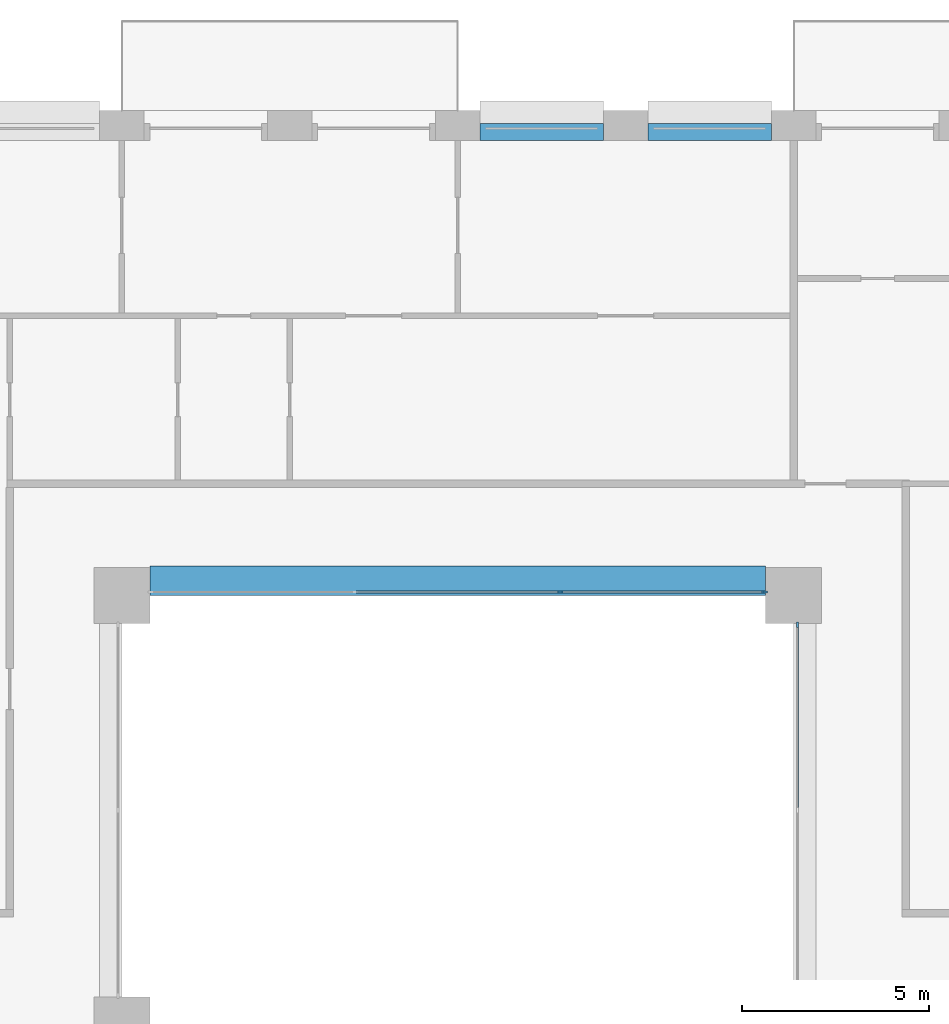
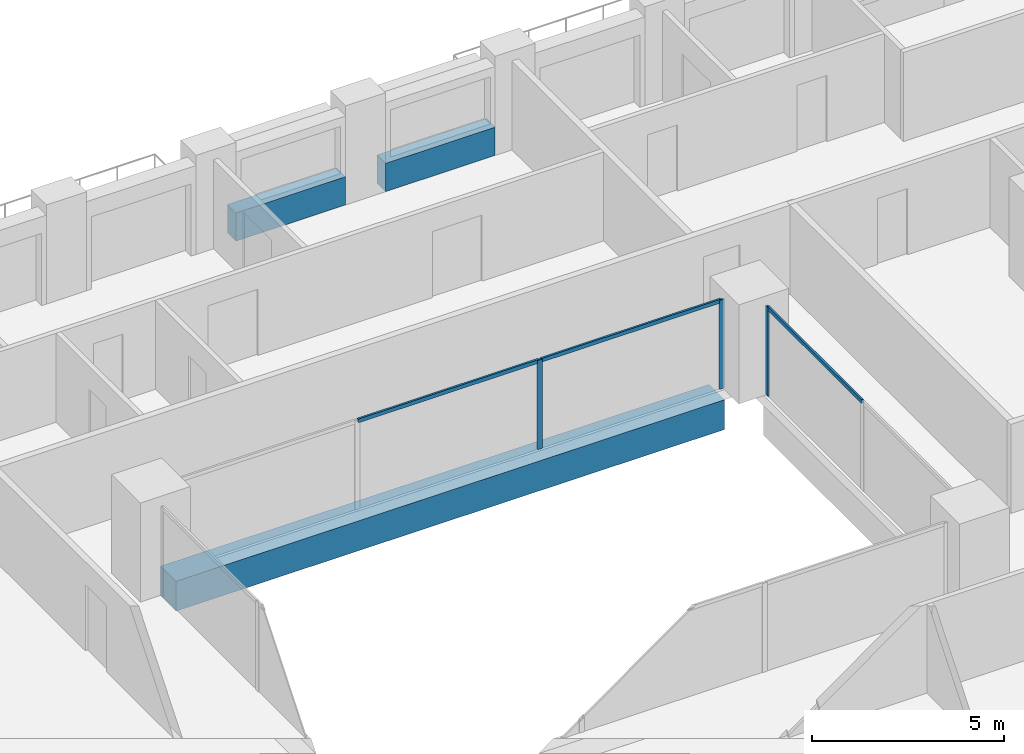
# One storey, part 7 of 20: 6 members, 3 beams, 2 elements without a shape of their own.
"""IFC4 building model written with IfcOpenShell, lengths in metres."""

from ifc_helpers import new_model, si_unit, direction, frame, origin, origin_2d, place, context, subcontext, project, spatial, rectangle, extrude, material, layer, layer_set, material_profile, profile_set, type_object, element, aggregate, save


model = new_model("IFC4")

# Units and contexts
model_context = context("Model", 3, precision=1e-05, world=origin(), true_north=direction((0.0, 1.0)))
body_context = subcontext(model_context, "Body", "Model", "MODEL_VIEW")
ifc_project = project(units=[si_unit("LENGTHUNIT", "METRE"), si_unit("AREAUNIT", "SQUARE_METRE"), si_unit("VOLUMEUNIT", "CUBIC_METRE"), si_unit("PLANEANGLEUNIT", "RADIAN"), si_unit("MASSUNIT", "GRAM", prefix="KILO")], contexts=[model_context])

# Site, building, storey
site_placement = place(None, origin())
site = spatial("IfcSite", under=ifc_project, at=site_placement, CompositionType="ELEMENT")
building_placement = place(site_placement, origin())
building = spatial("IfcBuilding", under=site, at=building_placement, Name="Brigalow Station Residences", CompositionType="ELEMENT")
storey_placement = place(building_placement, frame((0.0, 0.0, 66.75)))
storey = spatial("IfcBuildingStorey", under=building, at=storey_placement, Name="L19", CompositionType="ELEMENT", Elevation=66.75)

# Beam
ifc_material_1 = material(Name="Concrete C65", Category="concrete")
ifc_material_profile_1 = material_profile(ifc_material_1, rectangle(XDim=0.800048828125, YDim=0.949951171875, at=origin_2d()), Name="RC800x950")
ifc_profile_set_1 = profile_set([ifc_material_profile_1], Name="Concrete C65")
beam_type_1 = type_object("IfcBeamType", Name="ATRIUM EDGE GIRDER OVER 13.5 M SPAN 800x950 C65", PredefinedType="BEAM", material=ifc_profile_set_1)
beam_placement = place(storey_placement, frame((27.75, 35.89990234375, -0.794921875), z_axis=(1.0, 0.0, 0.0), x_axis=(0.0, 1.0, 0.0)))
element("IfcBeam", 1, at=beam_placement, inside=storey, type_object=beam_type_1, Name="ATRIUM EDGE GIRDER D L19", PredefinedType="BEAM", context=body_context, shape_type="SweptSolid", body=[
    extrude(rectangle(XDim=0.800048828125, YDim=0.949951171875, at=origin_2d()), origin(), (0.0, 0.0, 1.0), 16.5),
])

# Curtain wall, member
ifc_material_2 = material(Name="Aluminium", Category="aluminium")
ifc_layer = layer(ifc_material_2, 0.14990234375)
ifc_layer_set = layer_set([ifc_layer], Name="ATRIUM FIRE-RATED GLAZING CURTAIN WALL")
curtain_wall_type = type_object("IfcCurtainWallType", Name="ATRIUM FIRE-RATED GLAZING CURTAIN WALL", PredefinedType="NOTDEFINED", material=ifc_layer_set)
curtain_wall_1_placement = place(storey_placement, origin())
curtain_wall_1 = element("IfcCurtainWall", 2, at=curtain_wall_1_placement, inside=storey, type_object=curtain_wall_type, Name="L19/cw/atrium-E", PredefinedType="NOTDEFINED")
ifc_material_3 = material(Name="Aluminium", Category="aluminium")
ifc_material_profile_2 = material_profile(ifc_material_3, rectangle(XDim=0.06005859375, YDim=0.14990234375, at=origin_2d()), Name="ATRIUM FIRE-RATED GLAZING MULLION 60x150")
ifc_profile_set_2 = profile_set([ifc_material_profile_2], Name="Aluminium")
member_type_1 = type_object("IfcMemberType", Name="ATRIUM FIRE-RATED GLAZING MULLION 60x150", PredefinedType="MULLION", material=ifc_profile_set_2)
member_1_placement = place(storey_placement, frame((45.10009765625, 34.719970703125, 0.0), z_axis=(0.0, 0.0, 1.0), x_axis=(-1.0, 0.0, 0.0)))
member_1 = element("IfcMember", 3, at=member_1_placement, type_object=member_type_1, Name="L19/cw/atrium-E/M02", PredefinedType="MULLION", context=body_context, shape_type="SweptSolid", body=[
    extrude(rectangle(XDim=0.06005859375, YDim=0.14990234375, at=origin_2d()), origin(), (0.0, 0.0, 1.0), 2.830078125),
])

# Curtain wall, members
curtain_wall_2_placement = place(storey_placement, origin())
curtain_wall_2 = element("IfcCurtainWall", 4, at=curtain_wall_2_placement, inside=storey, type_object=curtain_wall_type, Name="L19/cw/atrium-N", PredefinedType="NOTDEFINED")
member_2_placement = place(storey_placement, frame((44.219970703125, 35.60009765625, 0.0), z_axis=(0.0, 0.0, 1.0), x_axis=(0.0, -1.0, 0.0)))
member_2 = element("IfcMember", 5, at=member_2_placement, type_object=member_type_1, Name="L19/cw/atrium-N/M00", PredefinedType="MULLION", context=body_context, shape_type="SweptSolid", body=[
    extrude(rectangle(XDim=0.06005859375, YDim=0.14990234375, at=origin_2d()), origin(), (0.0, 0.0, 1.0), 2.830078125),
])
member_3_placement = place(storey_placement, frame((38.75, 35.60009765625, 0.0), z_axis=(0.0, 0.0, 1.0), x_axis=(0.0, -1.0, 0.0)))
member_3 = element("IfcMember", 6, at=member_3_placement, type_object=member_type_1, Name="L19/cw/atrium-N/M01", PredefinedType="MULLION", context=body_context, shape_type="SweptSolid", body=[
    extrude(rectangle(XDim=0.06005859375, YDim=0.14990234375, at=origin_2d()), origin(), (0.0, 0.0, 1.0), 2.830078125),
])

# Member
ifc_material_4 = material(Name="Aluminium", Category="aluminium")
ifc_material_profile_3 = material_profile(ifc_material_4, rectangle(XDim=0.06005859375, YDim=0.1201171875, at=origin_2d()), Name="ATRIUM FIRE-RATED GLAZING TRANSOM 60x120")
ifc_profile_set_3 = profile_set([ifc_material_profile_3], Name="Aluminium")
member_type_2 = type_object("IfcMemberType", Name="ATRIUM FIRE-RATED GLAZING TRANSOM 60x120", PredefinedType="USERDEFINED", material=ifc_profile_set_3)
member_4_placement = place(storey_placement, frame((45.10009765625, 29.780029296875, 2.800048828125), z_axis=(0.0, 1.0, 0.0), x_axis=(-1.0, 0.0, 0.0)))
member_4 = element("IfcMember", 7, at=member_4_placement, type_object=member_type_2, Name="L19/cw/atrium-E/T01-00", ObjectType="TRANSOM", PredefinedType="USERDEFINED", context=body_context, shape_type="SweptSolid", body=[
    extrude(rectangle(XDim=0.06005859375, YDim=0.1201171875, at=origin_2d()), origin(), (0.0, 0.0, 1.0), 4.909912109375),
])

aggregate(curtain_wall_1, [member_1, member_4])

member_5_placement = place(storey_placement, frame((44.18994140625, 35.60009765625, 2.800048828125), z_axis=(-1.0, 0.0, 0.0), x_axis=(0.0, -1.0, 0.0)))
member_5 = element("IfcMember", 8, at=member_5_placement, type_object=member_type_2, Name="L19/cw/atrium-N/T00-00", ObjectType="TRANSOM", PredefinedType="USERDEFINED", context=body_context, shape_type="SweptSolid", body=[
    extrude(rectangle(XDim=0.06005859375, YDim=0.1201171875, at=origin_2d()), origin(), (0.0, 0.0, 1.0), 5.409912109375),
])

member_6_placement = place(storey_placement, frame((38.719970703125, 35.60009765625, 2.800048828125), z_axis=(-1.0, 0.0, 0.0), x_axis=(0.0, -1.0, 0.0)))
member_6 = element("IfcMember", 9, at=member_6_placement, type_object=member_type_2, Name="L19/cw/atrium-N/T01-00", ObjectType="TRANSOM", PredefinedType="USERDEFINED", context=body_context, shape_type="SweptSolid", body=[
    extrude(rectangle(XDim=0.06005859375, YDim=0.1201171875, at=origin_2d()), origin(), (0.0, 0.0, 1.0), 5.43994140625),
])

aggregate(curtain_wall_2, [member_2, member_3, member_5, member_6])

# Beams
ifc_material_5 = material(Name="Concrete C65", Category="concrete")
ifc_material_profile_4 = material_profile(ifc_material_5, rectangle(XDim=0.449951171875, YDim=0.89990234375, at=origin_2d()), Name="RC450x900")
ifc_profile_set_4 = profile_set([ifc_material_profile_4], Name="Concrete C65")
beam_type_2 = type_object("IfcBeamType", Name="SPANDREL BEAM 450x900 C65", PredefinedType="SPANDREL", material=ifc_profile_set_4)
for number, where, z_axis, x_axis, name in (
    (10, (44.39990234375, 47.925048828125, 0.449951171875), (-1.0, 0.0, 0.0), (0.0, -1.0, 0.0), "L19/spandrel/W-L19-31"),
    (11, (39.89990234375, 47.925048828125, 0.449951171875), (-1.0, 0.0, 0.0), (0.0, -1.0, 0.0), "L19/spandrel/W-L19-32"),
):
    element("IfcBeam", number, at=place(storey_placement, frame(where, z_axis=z_axis, x_axis=x_axis)), inside=storey, type_object=beam_type_2, Name=name, PredefinedType="SPANDREL", context=body_context, shape_type="SweptSolid", body=[
        extrude(rectangle(XDim=0.449951171875, YDim=0.89990234375, at=origin_2d()), origin(), (0.0, 0.0, 1.0), 3.2998046875),
    ])

save(model, "model.ifc")
